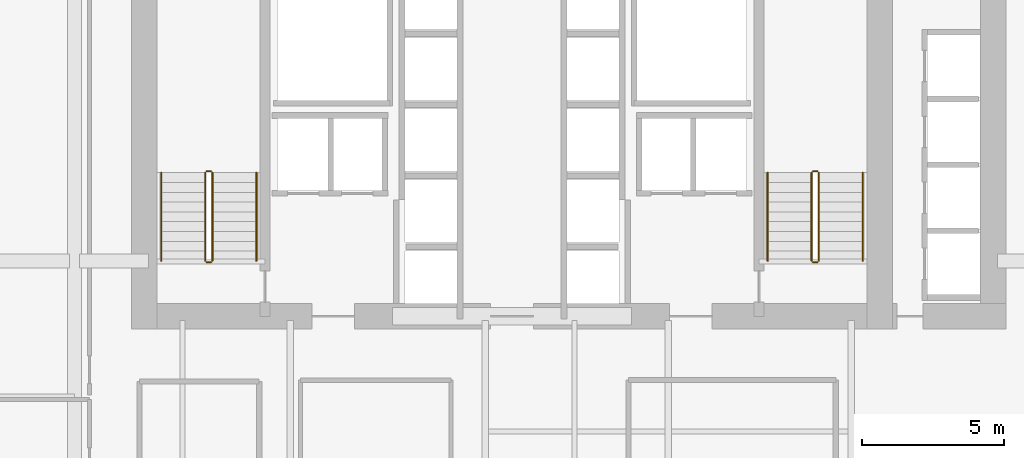
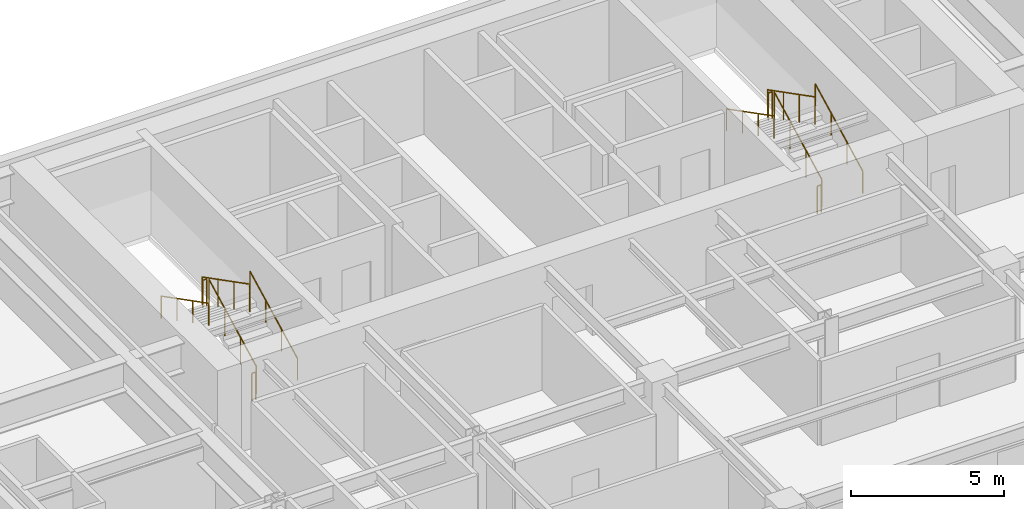
# One storey, part 16 of 16: 12 railings.
"""IFC4 building model written with IfcOpenShell, lengths in metres."""

from ifc_helpers import new_model, si_unit, direction, frame, origin, origin_2d, place, context, subcontext, project, spatial, circle, extrude, material, type_object, element, save


model = new_model("IFC4")

# Units and contexts
model_context = context("Model", 3, precision=1e-05, world=origin(), true_north=direction((0.0, 1.0)))
body_context = subcontext(model_context, "Body", "Model", "MODEL_VIEW")
ifc_project = project(units=[si_unit("LENGTHUNIT", "METRE"), si_unit("AREAUNIT", "SQUARE_METRE"), si_unit("VOLUMEUNIT", "CUBIC_METRE"), si_unit("PLANEANGLEUNIT", "RADIAN"), si_unit("MASSUNIT", "GRAM", prefix="KILO")], contexts=[model_context])

# Site, building, storey
site_placement = place(None, origin())
site = spatial("IfcSite", under=ifc_project, at=site_placement, CompositionType="ELEMENT")
building_placement = place(site_placement, origin())
building = spatial("IfcBuilding", under=site, at=building_placement, Name="Tolvann Quenvar Hotel", CompositionType="ELEMENT")
storey_placement = place(building_placement, frame((0.0, 0.0, 63.949951171875)))
storey = spatial("IfcBuildingStorey", under=building, at=storey_placement, Name="L15", CompositionType="ELEMENT", Elevation=63.949951171875)

# Railings
ifc_material = material(Name="Brushed 316 stainless steel balustrade and handrail", Category="steel")
railing_type_1 = type_object("IfcRailingType", Name="GUARDRAIL", PredefinedType="GUARDRAIL", material=ifc_material)
railing_1_placement = place(storey_placement, frame((12.449951171875, 34.0, 0.177490234375)))
element("IfcRailing", 1, at=railing_1_placement, inside=storey, type_object=railing_type_1, Name="L15 ST-C1 stair guard 1", PredefinedType="GUARDRAIL", context=body_context, shape_type="SweptSolid", body=[
    extrude(circle(Radius=0.02392578125, at=origin_2d()), frame((0.0, 0.0, 1.09619140625), z_axis=(0.0, 0.88919353882, 0.457531256332), x_axis=(-1.0, 0.0, 0.0)), (0.0, 0.0, 1.0), 3.491943359375),
    extrude(circle(Radius=0.02099609375, at=origin_2d()), origin(), (0.0, 0.0, 1.0), 1.072021484375),
    extrude(circle(Radius=0.02099609375, at=origin_2d()), frame((0.0, 1.034912109375, 0.532470703125)), (0.0, 0.0, 1.0), 1.072021484375),
    extrude(circle(Radius=0.02099609375, at=origin_2d()), frame((0.0, 2.070068359375, 1.065185546875)), (0.0, 0.0, 1.0), 1.072021484375),
    extrude(circle(Radius=0.02099609375, at=origin_2d()), frame((0.0, 3.10498046875, 1.59765625)), (0.0, 0.0, 1.0), 1.072021484375),
])
railing_2_placement = place(storey_placement, frame((12.39990234375, 37.155029296875, 1.775146484375)))
element("IfcRailing", 2, at=railing_2_placement, inside=storey, type_object=railing_type_1, Name="L15 ST-C1 stair guard 2", PredefinedType="GUARDRAIL", context=body_context, shape_type="SweptSolid", body=[
    extrude(circle(Radius=0.02392578125, at=origin_2d()), frame((0.0, 0.0, 1.09619140625), z_axis=(-1.0, 0.0, 0.0), x_axis=(0.0, -1.0, 0.0)), (0.0, 0.0, 1.0), 0.14990234375),
    extrude(circle(Radius=0.02099609375, at=origin_2d()), origin(), (0.0, 0.0, 1.0), 1.072021484375),
    extrude(circle(Radius=0.02099609375, at=origin_2d()), frame((-0.14990234375, 0.0, 0.0)), (0.0, 0.0, 1.0), 1.072021484375),
])
railing_3_placement = place(storey_placement, frame((12.199951171875, 37.10498046875, 1.95263671875)))
element("IfcRailing", 3, at=railing_3_placement, inside=storey, type_object=railing_type_1, Name="L15 ST-C1 stair guard 3", PredefinedType="GUARDRAIL", context=body_context, shape_type="SweptSolid", body=[
    extrude(circle(Radius=0.02392578125, at=origin_2d()), frame((0.0, 0.0, 1.09619140625), z_axis=(0.0, -0.889221982265, 0.45747597342), x_axis=(1.0, 0.0, 0.0)), (0.0, 0.0, 1.0), 3.49169921875),
    extrude(circle(Radius=0.02099609375, at=origin_2d()), origin(), (0.0, 0.0, 1.0), 1.072021484375),
    extrude(circle(Radius=0.02099609375, at=origin_2d()), frame((0.0, -1.034912109375, 0.532470703125)), (0.0, 0.0, 1.0), 1.072021484375),
    extrude(circle(Radius=0.02099609375, at=origin_2d()), frame((0.0, -2.070068359375, 1.06494140625)), (0.0, 0.0, 1.0), 1.072021484375),
    extrude(circle(Radius=0.02099609375, at=origin_2d()), frame((0.0, -3.10498046875, 1.597412109375)), (0.0, 0.0, 1.0), 1.072021484375),
])
railing_4_placement = place(storey_placement, frame((12.39990234375, 33.949951171875, 0.0)))
element("IfcRailing", 4, at=railing_4_placement, inside=storey, type_object=railing_type_1, Name="L15 ST-C1 stair guard 4", PredefinedType="GUARDRAIL", context=body_context, shape_type="SweptSolid", body=[
    extrude(circle(Radius=0.02392578125, at=origin_2d()), frame((0.0, 0.0, 1.09619140625), z_axis=(-1.0, 0.0, 0.0), x_axis=(0.0, -1.0, 0.0)), (0.0, 0.0, 1.0), 0.14990234375),
    extrude(circle(Radius=0.02099609375, at=origin_2d()), origin(), (0.0, 0.0, 1.0), 1.072021484375),
    extrude(circle(Radius=0.02099609375, at=origin_2d()), frame((-0.14990234375, 0.0, 0.0)), (0.0, 0.0, 1.0), 1.072021484375),
])
railing_5_placement = place(storey_placement, frame((33.800048828125, 34.0, 0.177490234375)))
element("IfcRailing", 5, at=railing_5_placement, inside=storey, type_object=railing_type_1, Name="L15 ST-C2 stair guard 1", PredefinedType="GUARDRAIL", context=body_context, shape_type="SweptSolid", body=[
    extrude(circle(Radius=0.02392578125, at=origin_2d()), frame((0.0, 0.0, 1.09619140625), z_axis=(0.0, 0.88919353882, 0.457531256332), x_axis=(-1.0, 0.0, 0.0)), (0.0, 0.0, 1.0), 3.491943359375),
    extrude(circle(Radius=0.02099609375, at=origin_2d()), origin(), (0.0, 0.0, 1.0), 1.072021484375),
    extrude(circle(Radius=0.02099609375, at=origin_2d()), frame((0.0, 1.034912109375, 0.532470703125)), (0.0, 0.0, 1.0), 1.072021484375),
    extrude(circle(Radius=0.02099609375, at=origin_2d()), frame((0.0, 2.070068359375, 1.065185546875)), (0.0, 0.0, 1.0), 1.072021484375),
    extrude(circle(Radius=0.02099609375, at=origin_2d()), frame((0.0, 3.10498046875, 1.59765625)), (0.0, 0.0, 1.0), 1.072021484375),
])
railing_6_placement = place(storey_placement, frame((33.75, 37.155029296875, 1.775146484375)))
element("IfcRailing", 6, at=railing_6_placement, inside=storey, type_object=railing_type_1, Name="L15 ST-C2 stair guard 2", PredefinedType="GUARDRAIL", context=body_context, shape_type="SweptSolid", body=[
    extrude(circle(Radius=0.02392578125, at=origin_2d()), frame((0.0, 0.0, 1.09619140625), z_axis=(-1.0, 0.0, 0.0), x_axis=(0.0, -1.0, 0.0)), (0.0, 0.0, 1.0), 0.14990234375),
    extrude(circle(Radius=0.02099609375, at=origin_2d()), origin(), (0.0, 0.0, 1.0), 1.072021484375),
    extrude(circle(Radius=0.02099609375, at=origin_2d()), frame((-0.14990234375, 0.0, 0.0)), (0.0, 0.0, 1.0), 1.072021484375),
])
railing_7_placement = place(storey_placement, frame((33.550048828125, 37.10498046875, 1.95263671875)))
element("IfcRailing", 7, at=railing_7_placement, inside=storey, type_object=railing_type_1, Name="L15 ST-C2 stair guard 3", PredefinedType="GUARDRAIL", context=body_context, shape_type="SweptSolid", body=[
    extrude(circle(Radius=0.02392578125, at=origin_2d()), frame((0.0, 0.0, 1.09619140625), z_axis=(0.0, -0.889221982265, 0.45747597342), x_axis=(1.0, 0.0, 0.0)), (0.0, 0.0, 1.0), 3.49169921875),
    extrude(circle(Radius=0.02099609375, at=origin_2d()), origin(), (0.0, 0.0, 1.0), 1.072021484375),
    extrude(circle(Radius=0.02099609375, at=origin_2d()), frame((0.0, -1.034912109375, 0.532470703125)), (0.0, 0.0, 1.0), 1.072021484375),
    extrude(circle(Radius=0.02099609375, at=origin_2d()), frame((0.0, -2.070068359375, 1.06494140625)), (0.0, 0.0, 1.0), 1.072021484375),
    extrude(circle(Radius=0.02099609375, at=origin_2d()), frame((0.0, -3.10498046875, 1.597412109375)), (0.0, 0.0, 1.0), 1.072021484375),
])
railing_8_placement = place(storey_placement, frame((33.75, 33.949951171875, 0.0)))
element("IfcRailing", 8, at=railing_8_placement, inside=storey, type_object=railing_type_1, Name="L15 ST-C2 stair guard 4", PredefinedType="GUARDRAIL", context=body_context, shape_type="SweptSolid", body=[
    extrude(circle(Radius=0.02392578125, at=origin_2d()), frame((0.0, 0.0, 1.09619140625), z_axis=(-1.0, 0.0, 0.0), x_axis=(0.0, -1.0, 0.0)), (0.0, 0.0, 1.0), 0.14990234375),
    extrude(circle(Radius=0.02099609375, at=origin_2d()), origin(), (0.0, 0.0, 1.0), 1.072021484375),
    extrude(circle(Radius=0.02099609375, at=origin_2d()), frame((-0.14990234375, 0.0, 0.0)), (0.0, 0.0, 1.0), 1.072021484375),
])
railing_type_2 = type_object("IfcRailingType", Name="HANDRAIL", PredefinedType="HANDRAIL", material=ifc_material)
railing_9_placement = place(storey_placement, frame((14.0, 34.0, 0.177490234375)))
element("IfcRailing", 9, at=railing_9_placement, inside=storey, type_object=railing_type_2, Name="L15 ST-C1 stair handrail 1", PredefinedType="HANDRAIL", context=body_context, shape_type="SweptSolid", body=[
    extrude(circle(Radius=0.02392578125, at=origin_2d()), frame((0.0, 0.0, 0.8759765625), z_axis=(0.0, 0.88919353882, 0.457531256332), x_axis=(-1.0, 0.0, 0.0)), (0.0, 0.0, 1.0), 3.491943359375),
    extrude(circle(Radius=0.02099609375, at=origin_2d()), origin(), (0.0, 0.0, 1.0), 0.851806640625),
    extrude(circle(Radius=0.02099609375, at=origin_2d()), frame((0.0, 1.034912109375, 0.532470703125)), (0.0, 0.0, 1.0), 0.851806640625),
    extrude(circle(Radius=0.02099609375, at=origin_2d()), frame((0.0, 2.070068359375, 1.065185546875)), (0.0, 0.0, 1.0), 0.851806640625),
    extrude(circle(Radius=0.02099609375, at=origin_2d()), frame((0.0, 3.10498046875, 1.59765625)), (0.0, 0.0, 1.0), 0.851806640625),
])
railing_10_placement = place(storey_placement, frame((10.64990234375, 37.10498046875, 1.95263671875)))
element("IfcRailing", 10, at=railing_10_placement, inside=storey, type_object=railing_type_2, Name="L15 ST-C1 stair handrail 2", PredefinedType="HANDRAIL", context=body_context, shape_type="SweptSolid", body=[
    extrude(circle(Radius=0.02392578125, at=origin_2d()), frame((0.0, 0.0, 0.8759765625), z_axis=(0.0, -0.889221982265, 0.45747597342), x_axis=(1.0, 0.0, 0.0)), (0.0, 0.0, 1.0), 3.49169921875),
    extrude(circle(Radius=0.02099609375, at=origin_2d()), origin(), (0.0, 0.0, 1.0), 0.851806640625),
    extrude(circle(Radius=0.02099609375, at=origin_2d()), frame((0.0, -1.034912109375, 0.532470703125)), (0.0, 0.0, 1.0), 0.851806640625),
    extrude(circle(Radius=0.02099609375, at=origin_2d()), frame((0.0, -2.070068359375, 1.06494140625)), (0.0, 0.0, 1.0), 0.851806640625),
    extrude(circle(Radius=0.02099609375, at=origin_2d()), frame((0.0, -3.10498046875, 1.597412109375)), (0.0, 0.0, 1.0), 0.851806640625),
])
railing_11_placement = place(storey_placement, frame((35.35009765625, 34.0, 0.177490234375)))
element("IfcRailing", 11, at=railing_11_placement, inside=storey, type_object=railing_type_2, Name="L15 ST-C2 stair handrail 1", PredefinedType="HANDRAIL", context=body_context, shape_type="SweptSolid", body=[
    extrude(circle(Radius=0.02392578125, at=origin_2d()), frame((0.0, 0.0, 0.8759765625), z_axis=(0.0, 0.88919353882, 0.457531256332), x_axis=(-1.0, 0.0, 0.0)), (0.0, 0.0, 1.0), 3.491943359375),
    extrude(circle(Radius=0.02099609375, at=origin_2d()), origin(), (0.0, 0.0, 1.0), 0.851806640625),
    extrude(circle(Radius=0.02099609375, at=origin_2d()), frame((0.0, 1.034912109375, 0.532470703125)), (0.0, 0.0, 1.0), 0.851806640625),
    extrude(circle(Radius=0.02099609375, at=origin_2d()), frame((0.0, 2.070068359375, 1.065185546875)), (0.0, 0.0, 1.0), 0.851806640625),
    extrude(circle(Radius=0.02099609375, at=origin_2d()), frame((0.0, 3.10498046875, 1.59765625)), (0.0, 0.0, 1.0), 0.851806640625),
])
railing_12_placement = place(storey_placement, frame((32.0, 37.10498046875, 1.95263671875)))
element("IfcRailing", 12, at=railing_12_placement, inside=storey, type_object=railing_type_2, Name="L15 ST-C2 stair handrail 2", PredefinedType="HANDRAIL", context=body_context, shape_type="SweptSolid", body=[
    extrude(circle(Radius=0.02392578125, at=origin_2d()), frame((0.0, 0.0, 0.8759765625), z_axis=(0.0, -0.889221982265, 0.45747597342), x_axis=(1.0, 0.0, 0.0)), (0.0, 0.0, 1.0), 3.49169921875),
    extrude(circle(Radius=0.02099609375, at=origin_2d()), origin(), (0.0, 0.0, 1.0), 0.851806640625),
    extrude(circle(Radius=0.02099609375, at=origin_2d()), frame((0.0, -1.034912109375, 0.532470703125)), (0.0, 0.0, 1.0), 0.851806640625),
    extrude(circle(Radius=0.02099609375, at=origin_2d()), frame((0.0, -2.070068359375, 1.06494140625)), (0.0, 0.0, 1.0), 0.851806640625),
    extrude(circle(Radius=0.02099609375, at=origin_2d()), frame((0.0, -3.10498046875, 1.597412109375)), (0.0, 0.0, 1.0), 0.851806640625),
])

save(model, "model.ifc")
